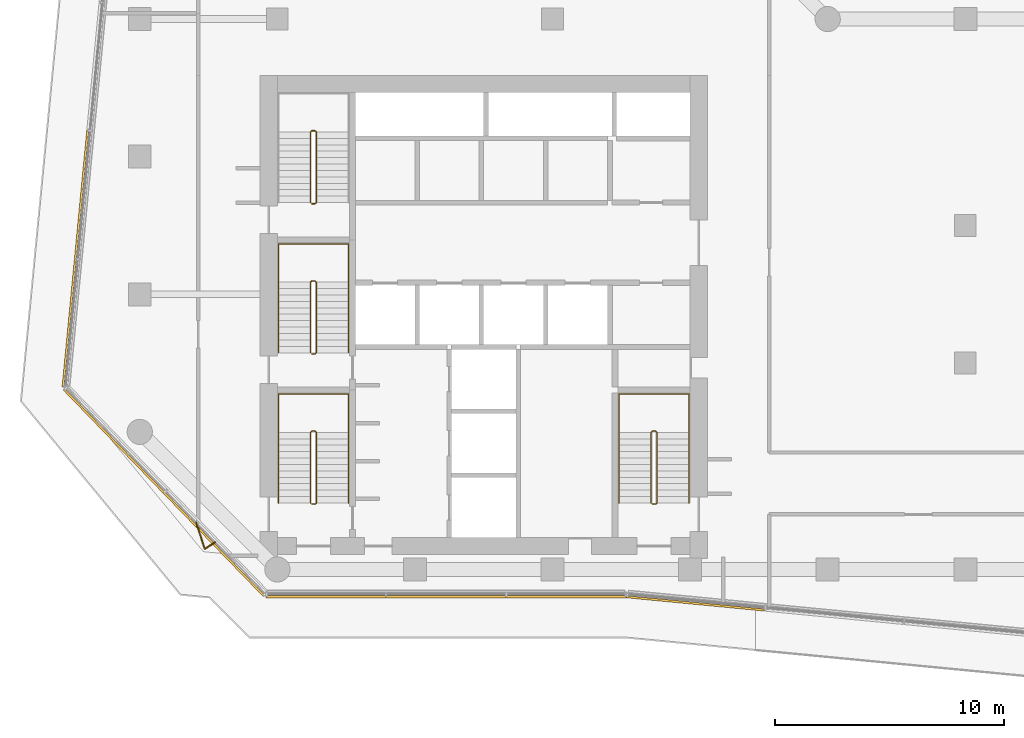
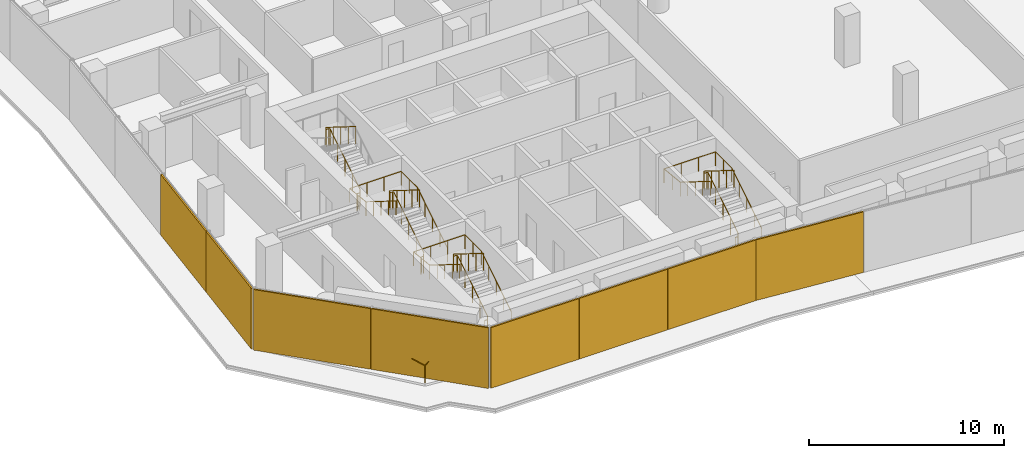
# One storey, part 11 of 12: 8 coverings, 8 railings.
"""IFC4 building model written with IfcOpenShell, lengths in metres."""

from ifc_helpers import new_model, si_unit, direction, frame, origin, origin_2d, place, context, subcontext, project, spatial, rectangle, circle, extrude, material, layer, layer_set, type_object, element, save


model = new_model("IFC4")

# Units and contexts
model_context = context("Model", 3, precision=1e-05, world=origin(), true_north=direction((0.0, 1.0)))
body_context = subcontext(model_context, "Body", "Model", "MODEL_VIEW")
ifc_project = project(units=[si_unit("LENGTHUNIT", "METRE"), si_unit("AREAUNIT", "SQUARE_METRE"), si_unit("VOLUMEUNIT", "CUBIC_METRE"), si_unit("PLANEANGLEUNIT", "RADIAN"), si_unit("MASSUNIT", "GRAM", prefix="KILO")], contexts=[model_context])

# Site, building, storey
site_placement = place(None, origin())
site = spatial("IfcSite", under=ifc_project, at=site_placement, CompositionType="ELEMENT")
building_placement = place(site_placement, origin())
building = spatial("IfcBuilding", under=site, at=building_placement, Name="Welwitschia Terrace Campus", CompositionType="ELEMENT")
storey_placement = place(building_placement, frame((0.0, 0.0, 134.0)))
storey = spatial("IfcBuildingStorey", under=building, at=storey_placement, Name="L30", CompositionType="ELEMENT", Elevation=134.0)

# Coverings
ifc_material_1 = material(Name="Bronze mesh aluminium screen", Category="aluminium")
ifc_layer = layer(ifc_material_1, 0.090087890625)
ifc_layer_set = layer_set([ifc_layer], Name="Bronze mesh aluminium screen")
covering_type = type_object("IfcCoveringType", Name="Bronze screen 90 plant", PredefinedType="USERDEFINED", material=ifc_layer_set)
for number, where, z_axis, x_axis, name in (
    (1, (-2.53759765625, 20.34130859375, 0.0), (0.0, 0.0, 1.0), (-0.09584575252, -0.995396198367, 0.0), "Screen L30.0.2"),
    (2, (-3.076416015625, 14.744873046875, 0.0), (0.0, 0.0, 1.0), (-0.09584575252, -0.995396198367, 0.0), "Screen L30.0.3"),
):
    element("IfcCovering", number, at=place(storey_placement, frame(where, z_axis=z_axis, x_axis=x_axis)), inside=storey, type_object=covering_type, Name=name, ObjectType="SCREEN", PredefinedType="USERDEFINED", context=body_context, shape_type="SweptSolid", body=[
        extrude(rectangle(XDim=5.60205078125, YDim=0.090087890625, at=origin_2d()), origin(), (0.0, 0.0, 1.0), 3.800048828125),
    ])
for number, where, z_axis, x_axis, name in (
    (3, (-1.132080078125, 9.60791015625, 0.0), (0.0, 0.0, 1.0), (0.695726920407, -0.718306377683, 0.0), "Screen L30.1.0"),
    (4, (3.237548828125, 5.0966796875, 0.0), (0.0, 0.0, 1.0), (0.695726920407, -0.718306377683, 0.0), "Screen L30.1.1"),
):
    element("IfcCovering", number, at=place(storey_placement, frame(where, z_axis=z_axis, x_axis=x_axis)), inside=storey, type_object=covering_type, Name=name, ObjectType="SCREEN", PredefinedType="USERDEFINED", context=body_context, shape_type="SweptSolid", body=[
        extrude(rectangle(XDim=6.260498046875, YDim=0.090087890625, at=origin_2d()), origin(), (0.0, 0.0, 1.0), 3.800048828125),
    ])
for number, where, z_axis, x_axis, name in (
    (5, (8.118896484375, 2.80908203125, 0.0), (0.0, 0.0, 1.0), (1.0, 0.0, 0.0), "Screen L30.2.0"),
    (6, (13.361328125, 2.80908203125, 0.0), (0.0, 0.0, 1.0), (1.0, 0.0, 0.0), "Screen L30.2.1"),
    (7, (18.60400390625, 2.80908203125, 0.0), (0.0, 0.0, 1.0), (1.0, 0.0, 0.0), "Screen L30.2.2"),
):
    element("IfcCovering", number, at=place(storey_placement, frame(where, z_axis=z_axis, x_axis=x_axis)), inside=storey, type_object=covering_type, Name=name, ObjectType="SCREEN", PredefinedType="USERDEFINED", context=body_context, shape_type="SweptSolid", body=[
        extrude(rectangle(XDim=5.222412109375, YDim=0.090087890625, at=origin_2d()), origin(), (0.0, 0.0, 1.0), 3.800048828125),
    ])
covering_placement = place(storey_placement, frame((24.24072265625, 2.51806640625, 0.0), z_axis=(0.0, 0.0, 1.0), x_axis=(0.995396198367, -0.09584575252, 0.0)))
element("IfcCovering", 8, at=covering_placement, inside=storey, type_object=covering_type, Name="Screen L30.3.0", ObjectType="SCREEN", PredefinedType="USERDEFINED", context=body_context, shape_type="SweptSolid", body=[
    extrude(rectangle(XDim=6.059326171875, YDim=0.090087890625, at=origin_2d()), origin(), (0.0, 0.0, 1.0), 3.800048828125),
])

# Railings
ifc_material_2 = material(Name="Stainless steel grade 316", Category="steel")
railing_type_1 = type_object("IfcRailingType", Name="Guard 1100", PredefinedType="GUARDRAIL", material=ifc_material_2)
railing_1_placement = place(storey_placement, frame((3.291259765625, 5.19189453125, 0.0)))
element("IfcRailing", 9, at=railing_1_placement, inside=storey, type_object=railing_type_1, Name="Guard floor edge L30.0", PredefinedType="GUARDRAIL", context=body_context, shape_type="SweptSolid", body=[
    extrude(circle(Radius=0.02392578125, at=origin_2d()), frame((0.0, 0.0, 1.076171875), z_axis=(-0.836749770788, -0.547585446379, 0.0), x_axis=(0.547585446379, -0.836749770788, 0.0)), (0.0, 0.0, 1.0), 0.5478515625),
    extrude(circle(Radius=0.02392578125, at=origin_2d()), frame((-0.45849609375, -0.300048828125, 1.076171875), z_axis=(-0.308734068724, 0.95114839789, 0.0), x_axis=(-0.95114839789, -0.308734068724, 0.0)), (0.0, 0.0, 1.0), 1.223388671875),
    extrude(circle(Radius=0.02099609375, at=origin_2d()), origin(), (0.0, 0.0, 1.0), 1.052001953125),
    extrude(circle(Radius=0.02099609375, at=origin_2d()), frame((-0.45849609375, -0.300048828125, 0.0)), (0.0, 0.0, 1.0), 1.052001953125),
    extrude(circle(Radius=0.02099609375, at=origin_2d()), frame((-0.836181640625, 0.863525390625, 0.0)), (0.0, 0.0, 1.0), 1.052001953125),
])
ifc_material_3 = material(Name="Steel S355", Category="steel")
railing_type_2 = type_object("IfcRailingType", Name="Stair guard 1100", PredefinedType="GUARDRAIL", material=ifc_material_3)
railing_2_placement = place(storey_placement, frame((7.5, 6.85009765625, 0.0)))
element("IfcRailing", 10, at=railing_2_placement, inside=storey, type_object=railing_type_2, Name="L30 S1 stair guard", PredefinedType="GUARDRAIL", context=body_context, shape_type="SweptSolid", body=[
    extrude(circle(Radius=0.02392578125, at=origin_2d()), frame((0.0, 0.0, 1.076171875), z_axis=(1.0, 0.0, 0.0), x_axis=(0.0, 1.0, 0.0)), (0.0, 0.0, 1.0), 0.14990234375),
    extrude(circle(Radius=0.02392578125, at=origin_2d()), frame((0.14990234375, 0.0, 1.076171875), z_axis=(0.265155923931, 0.263862480399, 0.927399011991), x_axis=(-0.705375805398, 0.708833529934, 0.0)), (0.0, 0.0, 1.0), 0.188720703125),
    extrude(circle(Radius=0.02392578125, at=origin_2d()), frame((0.199951171875, 0.0498046875, 1.2509765625), z_axis=(0.0, 0.847998304005, 0.529998940003), x_axis=(-1.0, 0.0, 0.0)), (0.0, 0.0, 1.0), 3.632080078125),
    extrude(circle(Radius=0.02392578125, at=origin_2d()), frame((0.199951171875, 3.1298828125, 3.17626953125), z_axis=(-0.707106781187, 0.707106781187, 0.0), x_axis=(-0.707106781187, -0.707106781187, 0.0)), (0.0, 0.0, 1.0), 0.07080078125),
    extrude(circle(Radius=0.02392578125, at=origin_2d()), frame((0.14990234375, 3.179931640625, 3.17626953125), z_axis=(-1.0, 0.0, 0.0), x_axis=(0.0, -1.0, 0.0)), (0.0, 0.0, 1.0), 0.14990234375),
    extrude(circle(Radius=0.02392578125, at=origin_2d()), frame((0.0, 3.179931640625, 3.17626953125), z_axis=(-0.265383341853, -0.265383341853, 0.926899867156), x_axis=(0.707106781187, -0.707106781187, 0.0)), (0.0, 0.0, 1.0), 0.1884765625),
    extrude(circle(Radius=0.02392578125, at=origin_2d()), frame((-0.050048828125, 3.1298828125, 3.35107421875), z_axis=(0.0, -0.847998304005, 0.529998940003), x_axis=(1.0, 0.0, 0.0)), (0.0, 0.0, 1.0), 3.632080078125),
    extrude(circle(Radius=0.02099609375, at=origin_2d()), origin(), (0.0, 0.0, 1.0), 1.052001953125),
    extrude(circle(Radius=0.02099609375, at=origin_2d()), frame((0.14990234375, 0.0, 0.0)), (0.0, 0.0, 1.0), 1.052001953125),
    extrude(circle(Radius=0.02099609375, at=origin_2d()), frame((0.199951171875, 0.0498046875, 0.175048828125)), (0.0, 0.0, 1.0), 1.052001953125),
    extrude(circle(Radius=0.02099609375, at=origin_2d()), frame((0.199951171875, 0.81982421875, 0.65625)), (0.0, 0.0, 1.0), 1.052001953125),
    extrude(circle(Radius=0.02099609375, at=origin_2d()), frame((0.199951171875, 1.58984375, 1.1376953125)), (0.0, 0.0, 1.0), 1.052001953125),
    extrude(circle(Radius=0.02099609375, at=origin_2d()), frame((0.199951171875, 2.35986328125, 1.618896484375)), (0.0, 0.0, 1.0), 1.052001953125),
    extrude(circle(Radius=0.02099609375, at=origin_2d()), frame((0.199951171875, 3.1298828125, 2.10009765625)), (0.0, 0.0, 1.0), 1.052001953125),
    extrude(circle(Radius=0.02099609375, at=origin_2d()), frame((0.14990234375, 3.179931640625, 2.10009765625)), (0.0, 0.0, 1.0), 1.052001953125),
    extrude(circle(Radius=0.02099609375, at=origin_2d()), frame((0.0, 3.179931640625, 2.10009765625)), (0.0, 0.0, 1.0), 1.052001953125),
    extrude(circle(Radius=0.02099609375, at=origin_2d()), frame((-0.050048828125, 3.1298828125, 2.27490234375)), (0.0, 0.0, 1.0), 1.052001953125),
    extrude(circle(Radius=0.02099609375, at=origin_2d()), frame((-0.050048828125, 2.35986328125, 2.756103515625)), (0.0, 0.0, 1.0), 1.052001953125),
    extrude(circle(Radius=0.02099609375, at=origin_2d()), frame((-0.050048828125, 1.58984375, 3.2373046875)), (0.0, 0.0, 1.0), 1.052001953125),
    extrude(circle(Radius=0.02099609375, at=origin_2d()), frame((-0.050048828125, 0.81982421875, 3.71875)), (0.0, 0.0, 1.0), 1.052001953125),
    extrude(circle(Radius=0.02099609375, at=origin_2d()), frame((-0.050048828125, 0.0498046875, 4.199951171875)), (0.0, 0.0, 1.0), 1.052001953125),
])
railing_3_placement = place(storey_placement, frame((7.5, 13.39990234375, 0.0)))
element("IfcRailing", 11, at=railing_3_placement, inside=storey, type_object=railing_type_2, Name="L30 S3 stair guard", PredefinedType="GUARDRAIL", context=body_context, shape_type="SweptSolid", body=[
    extrude(circle(Radius=0.02392578125, at=origin_2d()), frame((0.0, 0.0, 1.076171875), z_axis=(1.0, 0.0, 0.0), x_axis=(0.0, 1.0, 0.0)), (0.0, 0.0, 1.0), 0.14990234375),
    extrude(circle(Radius=0.02392578125, at=origin_2d()), frame((0.14990234375, 0.0, 1.076171875), z_axis=(0.265065253269, 0.265065253269, 0.927081885822), x_axis=(-0.707106781187, 0.707106781187, 0.0)), (0.0, 0.0, 1.0), 0.188720703125),
    extrude(circle(Radius=0.02392578125, at=origin_2d()), frame((0.199951171875, 0.050048828125, 1.2509765625), z_axis=(0.0, 0.847998304005, 0.529998940003), x_axis=(-1.0, 0.0, 0.0)), (0.0, 0.0, 1.0), 3.632080078125),
    extrude(circle(Radius=0.02392578125, at=origin_2d()), frame((0.199951171875, 3.130126953125, 3.17626953125), z_axis=(-0.707106781187, 0.707106781187, 0.0), x_axis=(-0.707106781187, -0.707106781187, 0.0)), (0.0, 0.0, 1.0), 0.07080078125),
    extrude(circle(Radius=0.02392578125, at=origin_2d()), frame((0.14990234375, 3.18017578125, 3.17626953125), z_axis=(-1.0, 0.0, 0.0), x_axis=(0.0, -1.0, 0.0)), (0.0, 0.0, 1.0), 0.14990234375),
    extrude(circle(Radius=0.02392578125, at=origin_2d()), frame((0.0, 3.18017578125, 3.17626953125), z_axis=(-0.265383341853, -0.265383341853, 0.926899867156), x_axis=(0.707106781187, -0.707106781187, 0.0)), (0.0, 0.0, 1.0), 0.1884765625),
    extrude(circle(Radius=0.02392578125, at=origin_2d()), frame((-0.050048828125, 3.130126953125, 3.35107421875), z_axis=(0.0, -0.847998304005, 0.529998940003), x_axis=(1.0, 0.0, 0.0)), (0.0, 0.0, 1.0), 3.632080078125),
    extrude(circle(Radius=0.02099609375, at=origin_2d()), origin(), (0.0, 0.0, 1.0), 1.052001953125),
    extrude(circle(Radius=0.02099609375, at=origin_2d()), frame((0.14990234375, 0.0, 0.0)), (0.0, 0.0, 1.0), 1.052001953125),
    extrude(circle(Radius=0.02099609375, at=origin_2d()), frame((0.199951171875, 0.050048828125, 0.175048828125)), (0.0, 0.0, 1.0), 1.052001953125),
    extrude(circle(Radius=0.02099609375, at=origin_2d()), frame((0.199951171875, 0.820068359375, 0.65625)), (0.0, 0.0, 1.0), 1.052001953125),
    extrude(circle(Radius=0.02099609375, at=origin_2d()), frame((0.199951171875, 1.590087890625, 1.1376953125)), (0.0, 0.0, 1.0), 1.052001953125),
    extrude(circle(Radius=0.02099609375, at=origin_2d()), frame((0.199951171875, 2.360107421875, 1.618896484375)), (0.0, 0.0, 1.0), 1.052001953125),
    extrude(circle(Radius=0.02099609375, at=origin_2d()), frame((0.199951171875, 3.130126953125, 2.10009765625)), (0.0, 0.0, 1.0), 1.052001953125),
    extrude(circle(Radius=0.02099609375, at=origin_2d()), frame((0.14990234375, 3.18017578125, 2.10009765625)), (0.0, 0.0, 1.0), 1.052001953125),
    extrude(circle(Radius=0.02099609375, at=origin_2d()), frame((0.0, 3.18017578125, 2.10009765625)), (0.0, 0.0, 1.0), 1.052001953125),
    extrude(circle(Radius=0.02099609375, at=origin_2d()), frame((-0.050048828125, 3.130126953125, 2.27490234375)), (0.0, 0.0, 1.0), 1.052001953125),
    extrude(circle(Radius=0.02099609375, at=origin_2d()), frame((-0.050048828125, 2.360107421875, 2.756103515625)), (0.0, 0.0, 1.0), 1.052001953125),
    extrude(circle(Radius=0.02099609375, at=origin_2d()), frame((-0.050048828125, 1.590087890625, 3.2373046875)), (0.0, 0.0, 1.0), 1.052001953125),
    extrude(circle(Radius=0.02099609375, at=origin_2d()), frame((-0.050048828125, 0.820068359375, 3.71875)), (0.0, 0.0, 1.0), 1.052001953125),
    extrude(circle(Radius=0.02099609375, at=origin_2d()), frame((-0.050048828125, 0.050048828125, 4.199951171875)), (0.0, 0.0, 1.0), 1.052001953125),
])
railing_4_placement = place(storey_placement, frame((7.5, 19.949951171875, 0.0)))
element("IfcRailing", 12, at=railing_4_placement, inside=storey, type_object=railing_type_2, Name="L30 S4 stair guard", PredefinedType="GUARDRAIL", context=body_context, shape_type="SweptSolid", body=[
    extrude(circle(Radius=0.02392578125, at=origin_2d()), frame((0.0, 0.0, 1.076171875), z_axis=(1.0, 0.0, 0.0), x_axis=(0.0, 1.0, 0.0)), (0.0, 0.0, 1.0), 0.14990234375),
    extrude(circle(Radius=0.02392578125, at=origin_2d()), frame((0.14990234375, 0.0, 1.076171875), z_axis=(0.265065253269, 0.265065253269, 0.927081885822), x_axis=(-0.707106781187, 0.707106781187, 0.0)), (0.0, 0.0, 1.0), 0.188720703125),
    extrude(circle(Radius=0.02392578125, at=origin_2d()), frame((0.199951171875, 0.050048828125, 1.2509765625), z_axis=(0.0, 0.847998304005, 0.529998940003), x_axis=(-1.0, 0.0, 0.0)), (0.0, 0.0, 1.0), 3.632080078125),
    extrude(circle(Radius=0.02392578125, at=origin_2d()), frame((0.199951171875, 3.130126953125, 3.17626953125), z_axis=(-0.708833529934, 0.705375805398, 0.0), x_axis=(-0.705375805398, -0.708833529934, 0.0)), (0.0, 0.0, 1.0), 0.070556640625),
    extrude(circle(Radius=0.02392578125, at=origin_2d()), frame((0.14990234375, 3.179931640625, 3.17626953125), z_axis=(-1.0, 0.0, 0.0), x_axis=(0.0, -1.0, 0.0)), (0.0, 0.0, 1.0), 0.14990234375),
    extrude(circle(Radius=0.02392578125, at=origin_2d()), frame((0.0, 3.179931640625, 3.17626953125), z_axis=(-0.265474339444, -0.264179342666, 0.927217692888), x_axis=(0.705375805398, -0.708833529934, 0.0)), (0.0, 0.0, 1.0), 0.1884765625),
    extrude(circle(Radius=0.02392578125, at=origin_2d()), frame((-0.050048828125, 3.130126953125, 3.35107421875), z_axis=(0.0, -0.847998304005, 0.529998940003), x_axis=(1.0, 0.0, 0.0)), (0.0, 0.0, 1.0), 3.632080078125),
    extrude(circle(Radius=0.02099609375, at=origin_2d()), origin(), (0.0, 0.0, 1.0), 1.052001953125),
    extrude(circle(Radius=0.02099609375, at=origin_2d()), frame((0.14990234375, 0.0, 0.0)), (0.0, 0.0, 1.0), 1.052001953125),
    extrude(circle(Radius=0.02099609375, at=origin_2d()), frame((0.199951171875, 0.050048828125, 0.175048828125)), (0.0, 0.0, 1.0), 1.052001953125),
    extrude(circle(Radius=0.02099609375, at=origin_2d()), frame((0.199951171875, 0.820068359375, 0.65625)), (0.0, 0.0, 1.0), 1.052001953125),
    extrude(circle(Radius=0.02099609375, at=origin_2d()), frame((0.199951171875, 1.590087890625, 1.1376953125)), (0.0, 0.0, 1.0), 1.052001953125),
    extrude(circle(Radius=0.02099609375, at=origin_2d()), frame((0.199951171875, 2.360107421875, 1.618896484375)), (0.0, 0.0, 1.0), 1.052001953125),
    extrude(circle(Radius=0.02099609375, at=origin_2d()), frame((0.199951171875, 3.130126953125, 2.10009765625)), (0.0, 0.0, 1.0), 1.052001953125),
    extrude(circle(Radius=0.02099609375, at=origin_2d()), frame((0.14990234375, 3.179931640625, 2.10009765625)), (0.0, 0.0, 1.0), 1.052001953125),
    extrude(circle(Radius=0.02099609375, at=origin_2d()), frame((0.0, 3.179931640625, 2.10009765625)), (0.0, 0.0, 1.0), 1.052001953125),
    extrude(circle(Radius=0.02099609375, at=origin_2d()), frame((-0.050048828125, 3.130126953125, 2.27490234375)), (0.0, 0.0, 1.0), 1.052001953125),
    extrude(circle(Radius=0.02099609375, at=origin_2d()), frame((-0.050048828125, 2.360107421875, 2.756103515625)), (0.0, 0.0, 1.0), 1.052001953125),
    extrude(circle(Radius=0.02099609375, at=origin_2d()), frame((-0.050048828125, 1.590087890625, 3.2373046875)), (0.0, 0.0, 1.0), 1.052001953125),
    extrude(circle(Radius=0.02099609375, at=origin_2d()), frame((-0.050048828125, 0.820068359375, 3.71875)), (0.0, 0.0, 1.0), 1.052001953125),
    extrude(circle(Radius=0.02099609375, at=origin_2d()), frame((-0.050048828125, 0.050048828125, 4.199951171875)), (0.0, 0.0, 1.0), 1.052001953125),
])
railing_5_placement = place(storey_placement, frame((22.35009765625, 6.85009765625, 0.0)))
element("IfcRailing", 13, at=railing_5_placement, inside=storey, type_object=railing_type_2, Name="L30 S2 stair guard", PredefinedType="GUARDRAIL", context=body_context, shape_type="SweptSolid", body=[
    extrude(circle(Radius=0.02392578125, at=origin_2d()), frame((0.0, 0.0, 1.076171875), z_axis=(1.0, 0.0, 0.0), x_axis=(0.0, 1.0, 0.0)), (0.0, 0.0, 1.0), 0.14990234375),
    extrude(circle(Radius=0.02392578125, at=origin_2d()), frame((0.14990234375, 0.0, 1.076171875), z_axis=(0.265155923931, 0.263862480399, 0.927399011991), x_axis=(-0.705375805398, 0.708833529934, 0.0)), (0.0, 0.0, 1.0), 0.188720703125),
    extrude(circle(Radius=0.02392578125, at=origin_2d()), frame((0.199951171875, 0.0498046875, 1.2509765625), z_axis=(0.0, 0.847998304005, 0.529998940003), x_axis=(-1.0, 0.0, 0.0)), (0.0, 0.0, 1.0), 3.632080078125),
    extrude(circle(Radius=0.02392578125, at=origin_2d()), frame((0.199951171875, 3.1298828125, 3.17626953125), z_axis=(-0.707106781187, 0.707106781187, 0.0), x_axis=(-0.707106781187, -0.707106781187, 0.0)), (0.0, 0.0, 1.0), 0.07080078125),
    extrude(circle(Radius=0.02392578125, at=origin_2d()), frame((0.14990234375, 3.179931640625, 3.17626953125), z_axis=(-1.0, 0.0, 0.0), x_axis=(0.0, -1.0, 0.0)), (0.0, 0.0, 1.0), 0.14990234375),
    extrude(circle(Radius=0.02392578125, at=origin_2d()), frame((0.0, 3.179931640625, 3.17626953125), z_axis=(-0.265383341853, -0.265383341853, 0.926899867156), x_axis=(0.707106781187, -0.707106781187, 0.0)), (0.0, 0.0, 1.0), 0.1884765625),
    extrude(circle(Radius=0.02392578125, at=origin_2d()), frame((-0.050048828125, 3.1298828125, 3.35107421875), z_axis=(0.0, -0.847998304005, 0.529998940003), x_axis=(1.0, 0.0, 0.0)), (0.0, 0.0, 1.0), 3.632080078125),
    extrude(circle(Radius=0.02099609375, at=origin_2d()), origin(), (0.0, 0.0, 1.0), 1.052001953125),
    extrude(circle(Radius=0.02099609375, at=origin_2d()), frame((0.14990234375, 0.0, 0.0)), (0.0, 0.0, 1.0), 1.052001953125),
    extrude(circle(Radius=0.02099609375, at=origin_2d()), frame((0.199951171875, 0.0498046875, 0.175048828125)), (0.0, 0.0, 1.0), 1.052001953125),
    extrude(circle(Radius=0.02099609375, at=origin_2d()), frame((0.199951171875, 0.81982421875, 0.65625)), (0.0, 0.0, 1.0), 1.052001953125),
    extrude(circle(Radius=0.02099609375, at=origin_2d()), frame((0.199951171875, 1.58984375, 1.1376953125)), (0.0, 0.0, 1.0), 1.052001953125),
    extrude(circle(Radius=0.02099609375, at=origin_2d()), frame((0.199951171875, 2.35986328125, 1.618896484375)), (0.0, 0.0, 1.0), 1.052001953125),
    extrude(circle(Radius=0.02099609375, at=origin_2d()), frame((0.199951171875, 3.1298828125, 2.10009765625)), (0.0, 0.0, 1.0), 1.052001953125),
    extrude(circle(Radius=0.02099609375, at=origin_2d()), frame((0.14990234375, 3.179931640625, 2.10009765625)), (0.0, 0.0, 1.0), 1.052001953125),
    extrude(circle(Radius=0.02099609375, at=origin_2d()), frame((0.0, 3.179931640625, 2.10009765625)), (0.0, 0.0, 1.0), 1.052001953125),
    extrude(circle(Radius=0.02099609375, at=origin_2d()), frame((-0.050048828125, 3.1298828125, 2.27490234375)), (0.0, 0.0, 1.0), 1.052001953125),
    extrude(circle(Radius=0.02099609375, at=origin_2d()), frame((-0.050048828125, 2.35986328125, 2.756103515625)), (0.0, 0.0, 1.0), 1.052001953125),
    extrude(circle(Radius=0.02099609375, at=origin_2d()), frame((-0.050048828125, 1.58984375, 3.2373046875)), (0.0, 0.0, 1.0), 1.052001953125),
    extrude(circle(Radius=0.02099609375, at=origin_2d()), frame((-0.050048828125, 0.81982421875, 3.71875)), (0.0, 0.0, 1.0), 1.052001953125),
    extrude(circle(Radius=0.02099609375, at=origin_2d()), frame((-0.050048828125, 0.0498046875, 4.199951171875)), (0.0, 0.0, 1.0), 1.052001953125),
])
ifc_material_4 = material(Name="Steel S355", Category="steel")
railing_type_3 = type_object("IfcRailingType", Name="Stair handrail 900", PredefinedType="HANDRAIL", material=ifc_material_4)
railing_6_placement = place(storey_placement, frame((9.10009765625, 6.89990234375, 0.175048828125)))
element("IfcRailing", 14, at=railing_6_placement, inside=storey, type_object=railing_type_3, Name="L30 S1 stair handrail", PredefinedType="HANDRAIL", context=body_context, shape_type="SweptSolid", body=[
    extrude(circle(Radius=0.02392578125, at=origin_2d()), frame((0.0, 0.0, 0.8759765625), z_axis=(0.0, 0.847998304005, 0.529998940003), x_axis=(-1.0, 0.0, 0.0)), (0.0, 0.0, 1.0), 3.632080078125),
    extrude(circle(Radius=0.02392578125, at=origin_2d()), frame((0.0, 3.080078125, 2.80078125), z_axis=(0.0, 1.0, 0.0), x_axis=(-1.0, 0.0, 0.0)), (0.0, 0.0, 1.0), 1.669921875),
    extrude(circle(Radius=0.02392578125, at=origin_2d()), frame((0.0, 4.75, 2.80078125), z_axis=(-1.0, 0.0, 0.0), x_axis=(0.0, -1.0, 0.0)), (0.0, 0.0, 1.0), 3.050048828125),
    extrude(circle(Radius=0.02392578125, at=origin_2d()), frame((-3.050048828125, 4.75, 2.80078125), z_axis=(0.0, -0.994565838508, 0.104109523446), x_axis=(1.0, 0.0, 0.0)), (0.0, 0.0, 1.0), 1.678955078125),
    extrude(circle(Radius=0.02392578125, at=origin_2d()), frame((-3.050048828125, 3.080078125, 2.9755859375), z_axis=(0.0, -0.847998304005, 0.529998940003), x_axis=(1.0, 0.0, 0.0)), (0.0, 0.0, 1.0), 3.632080078125),
    extrude(circle(Radius=0.02099609375, at=origin_2d()), origin(), (0.0, 0.0, 1.0), 0.851806640625),
    extrude(circle(Radius=0.02099609375, at=origin_2d()), frame((0.0, 0.77001953125, 0.481201171875)), (0.0, 0.0, 1.0), 0.851806640625),
    extrude(circle(Radius=0.02099609375, at=origin_2d()), frame((0.0, 1.5400390625, 0.96240234375)), (0.0, 0.0, 1.0), 0.851806640625),
    extrude(circle(Radius=0.02099609375, at=origin_2d()), frame((0.0, 2.31005859375, 1.44384765625)), (0.0, 0.0, 1.0), 0.851806640625),
    extrude(circle(Radius=0.02099609375, at=origin_2d()), frame((0.0, 3.080078125, 1.925048828125)), (0.0, 0.0, 1.0), 0.851806640625),
    extrude(circle(Radius=0.02099609375, at=origin_2d()), frame((0.0, 3.9150390625, 1.925048828125)), (0.0, 0.0, 1.0), 0.851806640625),
    extrude(circle(Radius=0.02099609375, at=origin_2d()), frame((0.0, 4.75, 1.925048828125)), (0.0, 0.0, 1.0), 0.851806640625),
    extrude(circle(Radius=0.02099609375, at=origin_2d()), frame((-1.0166015625, 4.75, 1.925048828125)), (0.0, 0.0, 1.0), 0.851806640625),
    extrude(circle(Radius=0.02099609375, at=origin_2d()), frame((-2.033447265625, 4.75, 1.925048828125)), (0.0, 0.0, 1.0), 0.851806640625),
    extrude(circle(Radius=0.02099609375, at=origin_2d()), frame((-3.050048828125, 4.75, 1.925048828125)), (0.0, 0.0, 1.0), 0.851806640625),
    extrude(circle(Radius=0.02099609375, at=origin_2d()), frame((-3.050048828125, 3.9150390625, 2.012451171875)), (0.0, 0.0, 1.0), 0.851806640625),
    extrude(circle(Radius=0.02099609375, at=origin_2d()), frame((-3.050048828125, 3.080078125, 2.099853515625)), (0.0, 0.0, 1.0), 0.851806640625),
    extrude(circle(Radius=0.02099609375, at=origin_2d()), frame((-3.050048828125, 2.31005859375, 2.5810546875)), (0.0, 0.0, 1.0), 0.851806640625),
    extrude(circle(Radius=0.02099609375, at=origin_2d()), frame((-3.050048828125, 1.5400390625, 3.0625)), (0.0, 0.0, 1.0), 0.851806640625),
    extrude(circle(Radius=0.02099609375, at=origin_2d()), frame((-3.050048828125, 0.77001953125, 3.543701171875)), (0.0, 0.0, 1.0), 0.851806640625),
    extrude(circle(Radius=0.02099609375, at=origin_2d()), frame((-3.050048828125, 0.0, 4.02490234375)), (0.0, 0.0, 1.0), 0.851806640625),
])
railing_7_placement = place(storey_placement, frame((9.10009765625, 13.449951171875, 0.175048828125)))
element("IfcRailing", 15, at=railing_7_placement, inside=storey, type_object=railing_type_3, Name="L30 S3 stair handrail", PredefinedType="HANDRAIL", context=body_context, shape_type="SweptSolid", body=[
    extrude(circle(Radius=0.02392578125, at=origin_2d()), frame((0.0, 0.0, 0.8759765625), z_axis=(0.0, 0.847998304005, 0.529998940003), x_axis=(-1.0, 0.0, 0.0)), (0.0, 0.0, 1.0), 3.632080078125),
    extrude(circle(Radius=0.02392578125, at=origin_2d()), frame((0.0, 3.080078125, 2.80078125), z_axis=(0.0, 1.0, 0.0), x_axis=(-1.0, 0.0, 0.0)), (0.0, 0.0, 1.0), 1.669921875),
    extrude(circle(Radius=0.02392578125, at=origin_2d()), frame((0.0, 4.75, 2.80078125), z_axis=(-1.0, 0.0, 0.0), x_axis=(0.0, -1.0, 0.0)), (0.0, 0.0, 1.0), 3.050048828125),
    extrude(circle(Radius=0.02392578125, at=origin_2d()), frame((-3.050048828125, 4.75, 2.80078125), z_axis=(0.0, -0.994565838508, 0.104109523446), x_axis=(1.0, 0.0, 0.0)), (0.0, 0.0, 1.0), 1.678955078125),
    extrude(circle(Radius=0.02392578125, at=origin_2d()), frame((-3.050048828125, 3.080078125, 2.9755859375), z_axis=(0.0, -0.847998304005, 0.529998940003), x_axis=(1.0, 0.0, 0.0)), (0.0, 0.0, 1.0), 3.632080078125),
    extrude(circle(Radius=0.02099609375, at=origin_2d()), origin(), (0.0, 0.0, 1.0), 0.851806640625),
    extrude(circle(Radius=0.02099609375, at=origin_2d()), frame((0.0, 0.77001953125, 0.481201171875)), (0.0, 0.0, 1.0), 0.851806640625),
    extrude(circle(Radius=0.02099609375, at=origin_2d()), frame((0.0, 1.5400390625, 0.96240234375)), (0.0, 0.0, 1.0), 0.851806640625),
    extrude(circle(Radius=0.02099609375, at=origin_2d()), frame((0.0, 2.31005859375, 1.44384765625)), (0.0, 0.0, 1.0), 0.851806640625),
    extrude(circle(Radius=0.02099609375, at=origin_2d()), frame((0.0, 3.080078125, 1.925048828125)), (0.0, 0.0, 1.0), 0.851806640625),
    extrude(circle(Radius=0.02099609375, at=origin_2d()), frame((0.0, 3.9150390625, 1.925048828125)), (0.0, 0.0, 1.0), 0.851806640625),
    extrude(circle(Radius=0.02099609375, at=origin_2d()), frame((0.0, 4.75, 1.925048828125)), (0.0, 0.0, 1.0), 0.851806640625),
    extrude(circle(Radius=0.02099609375, at=origin_2d()), frame((-1.0166015625, 4.75, 1.925048828125)), (0.0, 0.0, 1.0), 0.851806640625),
    extrude(circle(Radius=0.02099609375, at=origin_2d()), frame((-2.033447265625, 4.75, 1.925048828125)), (0.0, 0.0, 1.0), 0.851806640625),
    extrude(circle(Radius=0.02099609375, at=origin_2d()), frame((-3.050048828125, 4.75, 1.925048828125)), (0.0, 0.0, 1.0), 0.851806640625),
    extrude(circle(Radius=0.02099609375, at=origin_2d()), frame((-3.050048828125, 3.9150390625, 2.012451171875)), (0.0, 0.0, 1.0), 0.851806640625),
    extrude(circle(Radius=0.02099609375, at=origin_2d()), frame((-3.050048828125, 3.080078125, 2.099853515625)), (0.0, 0.0, 1.0), 0.851806640625),
    extrude(circle(Radius=0.02099609375, at=origin_2d()), frame((-3.050048828125, 2.31005859375, 2.5810546875)), (0.0, 0.0, 1.0), 0.851806640625),
    extrude(circle(Radius=0.02099609375, at=origin_2d()), frame((-3.050048828125, 1.5400390625, 3.0625)), (0.0, 0.0, 1.0), 0.851806640625),
    extrude(circle(Radius=0.02099609375, at=origin_2d()), frame((-3.050048828125, 0.77001953125, 3.543701171875)), (0.0, 0.0, 1.0), 0.851806640625),
    extrude(circle(Radius=0.02099609375, at=origin_2d()), frame((-3.050048828125, 0.0, 4.02490234375)), (0.0, 0.0, 1.0), 0.851806640625),
])
railing_8_placement = place(storey_placement, frame((23.949951171875, 6.89990234375, 0.175048828125)))
element("IfcRailing", 16, at=railing_8_placement, inside=storey, type_object=railing_type_3, Name="L30 S2 stair handrail", PredefinedType="HANDRAIL", context=body_context, shape_type="SweptSolid", body=[
    extrude(circle(Radius=0.02392578125, at=origin_2d()), frame((0.0, 0.0, 0.8759765625), z_axis=(0.0, 0.847998304005, 0.529998940003), x_axis=(-1.0, 0.0, 0.0)), (0.0, 0.0, 1.0), 3.632080078125),
    extrude(circle(Radius=0.02392578125, at=origin_2d()), frame((0.0, 3.080078125, 2.80078125), z_axis=(0.0, 1.0, 0.0), x_axis=(-1.0, 0.0, 0.0)), (0.0, 0.0, 1.0), 1.669921875),
    extrude(circle(Radius=0.02392578125, at=origin_2d()), frame((0.0, 4.75, 2.80078125), z_axis=(-1.0, 0.0, 0.0), x_axis=(0.0, -1.0, 0.0)), (0.0, 0.0, 1.0), 3.050048828125),
    extrude(circle(Radius=0.02392578125, at=origin_2d()), frame((-3.050048828125, 4.75, 2.80078125), z_axis=(0.0, -0.994565838508, 0.104109523446), x_axis=(1.0, 0.0, 0.0)), (0.0, 0.0, 1.0), 1.678955078125),
    extrude(circle(Radius=0.02392578125, at=origin_2d()), frame((-3.050048828125, 3.080078125, 2.9755859375), z_axis=(0.0, -0.847998304005, 0.529998940003), x_axis=(1.0, 0.0, 0.0)), (0.0, 0.0, 1.0), 3.632080078125),
    extrude(circle(Radius=0.02099609375, at=origin_2d()), origin(), (0.0, 0.0, 1.0), 0.851806640625),
    extrude(circle(Radius=0.02099609375, at=origin_2d()), frame((0.0, 0.77001953125, 0.481201171875)), (0.0, 0.0, 1.0), 0.851806640625),
    extrude(circle(Radius=0.02099609375, at=origin_2d()), frame((0.0, 1.5400390625, 0.96240234375)), (0.0, 0.0, 1.0), 0.851806640625),
    extrude(circle(Radius=0.02099609375, at=origin_2d()), frame((0.0, 2.31005859375, 1.44384765625)), (0.0, 0.0, 1.0), 0.851806640625),
    extrude(circle(Radius=0.02099609375, at=origin_2d()), frame((0.0, 3.080078125, 1.925048828125)), (0.0, 0.0, 1.0), 0.851806640625),
    extrude(circle(Radius=0.02099609375, at=origin_2d()), frame((0.0, 3.9150390625, 1.925048828125)), (0.0, 0.0, 1.0), 0.851806640625),
    extrude(circle(Radius=0.02099609375, at=origin_2d()), frame((0.0, 4.75, 1.925048828125)), (0.0, 0.0, 1.0), 0.851806640625),
    extrude(circle(Radius=0.02099609375, at=origin_2d()), frame((-1.0166015625, 4.75, 1.925048828125)), (0.0, 0.0, 1.0), 0.851806640625),
    extrude(circle(Radius=0.02099609375, at=origin_2d()), frame((-2.033447265625, 4.75, 1.925048828125)), (0.0, 0.0, 1.0), 0.851806640625),
    extrude(circle(Radius=0.02099609375, at=origin_2d()), frame((-3.050048828125, 4.75, 1.925048828125)), (0.0, 0.0, 1.0), 0.851806640625),
    extrude(circle(Radius=0.02099609375, at=origin_2d()), frame((-3.050048828125, 3.9150390625, 2.012451171875)), (0.0, 0.0, 1.0), 0.851806640625),
    extrude(circle(Radius=0.02099609375, at=origin_2d()), frame((-3.050048828125, 3.080078125, 2.099853515625)), (0.0, 0.0, 1.0), 0.851806640625),
    extrude(circle(Radius=0.02099609375, at=origin_2d()), frame((-3.050048828125, 2.31005859375, 2.5810546875)), (0.0, 0.0, 1.0), 0.851806640625),
    extrude(circle(Radius=0.02099609375, at=origin_2d()), frame((-3.050048828125, 1.5400390625, 3.0625)), (0.0, 0.0, 1.0), 0.851806640625),
    extrude(circle(Radius=0.02099609375, at=origin_2d()), frame((-3.050048828125, 0.77001953125, 3.543701171875)), (0.0, 0.0, 1.0), 0.851806640625),
    extrude(circle(Radius=0.02099609375, at=origin_2d()), frame((-3.050048828125, 0.0, 4.02490234375)), (0.0, 0.0, 1.0), 0.851806640625),
])

save(model, "model.ifc")
